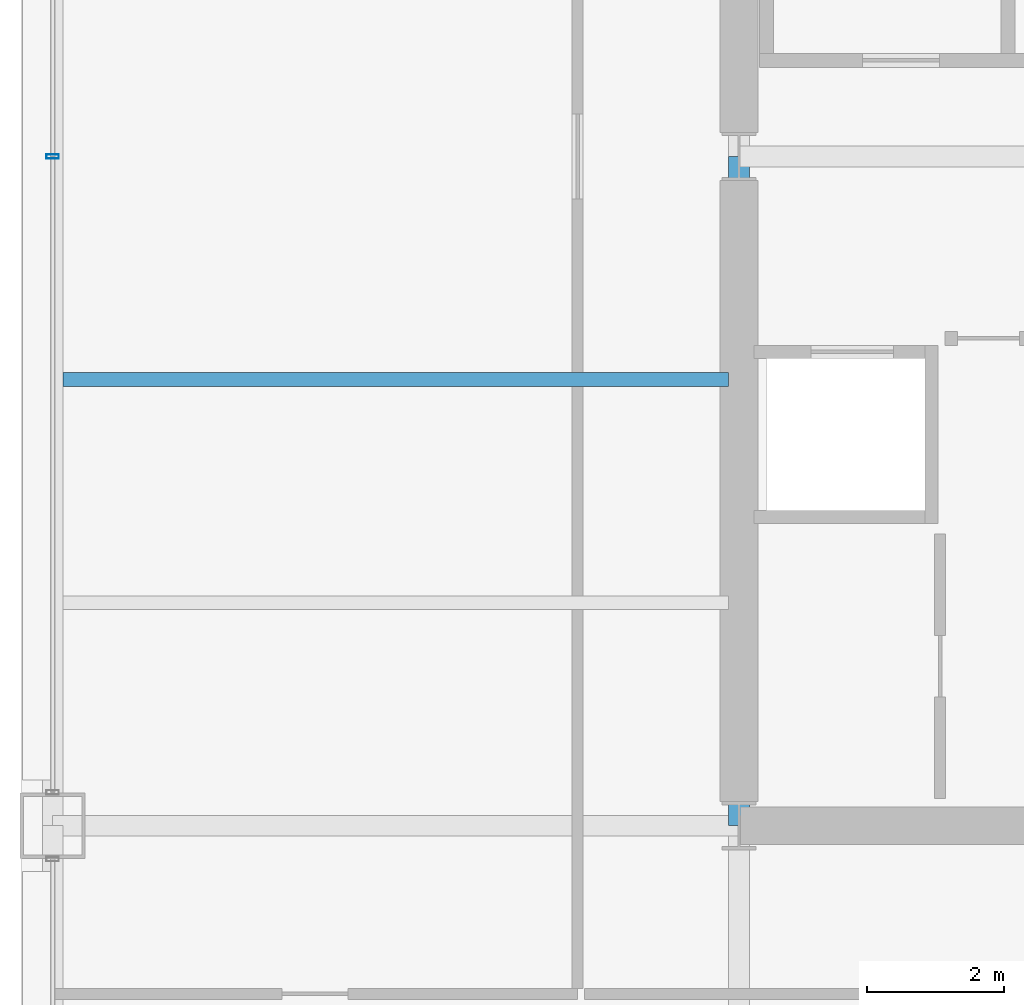
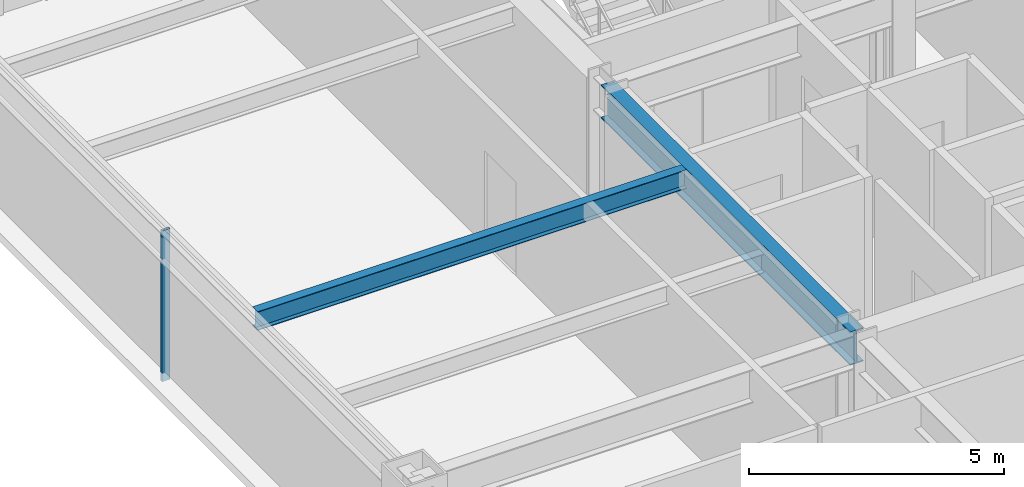
# One storey, part 7 of 31: 2 beams, 1 member, 1 element without a shape of its own.
"""IFC4 building model written with IfcOpenShell, lengths in metres."""

from ifc_helpers import new_model, si_unit, direction, frame, origin, origin_2d, place, context, subcontext, project, spatial, hollow_rectangle, i_section, extrude, material, layer, layer_set, material_profile, profile_set, type_object, element, aggregate, save


model = new_model("IFC4")

# Units and contexts
model_context = context("Model", 3, precision=1e-05, world=origin(), true_north=direction((0.0, 1.0)))
body_context = subcontext(model_context, "Body", "Model", "MODEL_VIEW")
ifc_project = project(units=[si_unit("LENGTHUNIT", "METRE"), si_unit("AREAUNIT", "SQUARE_METRE"), si_unit("VOLUMEUNIT", "CUBIC_METRE"), si_unit("PLANEANGLEUNIT", "RADIAN"), si_unit("MASSUNIT", "GRAM", prefix="KILO")], contexts=[model_context])

# Site, building, storey
site_placement = place(None, origin())
site = spatial("IfcSite", under=ifc_project, at=site_placement, CompositionType="ELEMENT")
building_placement = place(site_placement, origin())
building = spatial("IfcBuilding", under=site, at=building_placement, Name="Brelmoor Portico Tower", CompositionType="ELEMENT")
storey_placement = place(building_placement, frame((0.0, 0.0, 31.199951171875)))
storey = spatial("IfcBuildingStorey", under=building, at=storey_placement, Name="L07", CompositionType="ELEMENT", Elevation=31.199951171875)

# Beams
ifc_material_1 = material(Name="Steel Q355B", Category="steel")
ifc_material_profile_1 = material_profile(ifc_material_1, i_section(OverallWidth=0.199951171875, OverallDepth=0.449951171875, WebThickness=0.009033203125, FlangeThickness=0.013916015625, at=origin_2d()), Name="HN 450x200x9x14")
ifc_profile_set_1 = profile_set([ifc_material_profile_1], Name="Steel Q355B")
beam_type_1 = type_object("IfcBeamType", Name="BM-JS-450", PredefinedType="JOIST", material=ifc_profile_set_1)
beam_1_placement = place(storey_placement, frame((-24.39990234375, -3.25, 3.175048828125), z_axis=(1.0, 0.0, 0.0), x_axis=(0.0, 1.0, 0.0)))
element("IfcBeam", 1, at=beam_1_placement, inside=storey, type_object=beam_type_1, Name="L07 Secondary Wing Joist JS-W06", PredefinedType="JOIST", context=body_context, shape_type="SweptSolid", body=[
    extrude(i_section(OverallWidth=0.199951171875, OverallDepth=0.449951171875, WebThickness=0.009033203125, FlangeThickness=0.013916015625, at=origin_2d()), origin(), (0.0, 0.0, 1.0), 9.699951171875),
])
ifc_material_profile_2 = material_profile(ifc_material_1, i_section(OverallWidth=0.300048828125, OverallDepth=0.800048828125, WebThickness=0.013916015625, FlangeThickness=0.02587890625, at=origin_2d()), Name="HN 800x300x14x26")
ifc_profile_set_2 = profile_set([ifc_material_profile_2], Name="Steel Q355B")
beam_type_2 = type_object("IfcBeamType", Name="BM-PG-800", PredefinedType="BEAM", material=ifc_profile_set_2)
beam_2_placement = place(storey_placement, frame((-14.550048828125, -9.75, 3.0), z_axis=(0.0, 1.0, 0.0), x_axis=(-1.0, 0.0, 0.0)))
element("IfcBeam", 2, at=beam_2_placement, inside=storey, type_object=beam_type_2, Name="L07 Primary Floor Girder PG-04", PredefinedType="BEAM", context=body_context, shape_type="SweptSolid", body=[
    extrude(i_section(OverallWidth=0.300048828125, OverallDepth=0.800048828125, WebThickness=0.013916015625, FlangeThickness=0.02587890625, at=origin_2d()), origin(), (0.0, 0.0, 1.0), 9.75),
])

# Curtain wall, member
ifc_material_2 = material(Name="Anodised Aluminium Alloy 6063-T6", Category="aluminium")
ifc_layer = layer(ifc_material_2, 0.179931640625)
ifc_layer_set = layer_set([ifc_layer], Name="Anodised Aluminium Alloy 6063-T6")
curtain_wall_type = type_object("IfcCurtainWallType", Name="CW-TOWER-Z1-XB", PredefinedType="NOTDEFINED", material=ifc_layer_set)
curtain_wall_placement = place(storey_placement, origin())
curtain_wall = element("IfcCurtainWall", 3, at=curtain_wall_placement, inside=storey, type_object=curtain_wall_type, Name="L07 Curtain Wall CW-L07-03-2", PredefinedType="NOTDEFINED")
ifc_material_profile_3 = material_profile(ifc_material_2, hollow_rectangle(XDim=0.06494140625, YDim=0.179931640625, WallThickness=0.00390625, at=origin_2d()), Name="ALU MULLION 65x180")
ifc_profile_set_3 = profile_set([ifc_material_profile_3], Name="Anodised Aluminium Alloy 6063-T6")
member_type = type_object("IfcMemberType", Name="MB-CW-MULL-180", PredefinedType="MULLION", material=ifc_profile_set_3)
member_placement = place(storey_placement, frame((-24.550048828125, 0.0, -0.199951171875), z_axis=(0.0, 0.0, 1.0), x_axis=(0.0, 1.0, 0.0)))
member = element("IfcMember", 4, at=member_placement, type_object=member_type, Name="CW-L07-03-2 Mullion 01", PredefinedType="MULLION", context=body_context, shape_type="SweptSolid", body=[
    extrude(hollow_rectangle(XDim=0.06494140625, YDim=0.179931640625, WallThickness=0.00390625, at=origin_2d()), origin(), (0.0, 0.0, 1.0), 3.60009765625),
])
aggregate(curtain_wall, [member])

save(model, "model.ifc")
